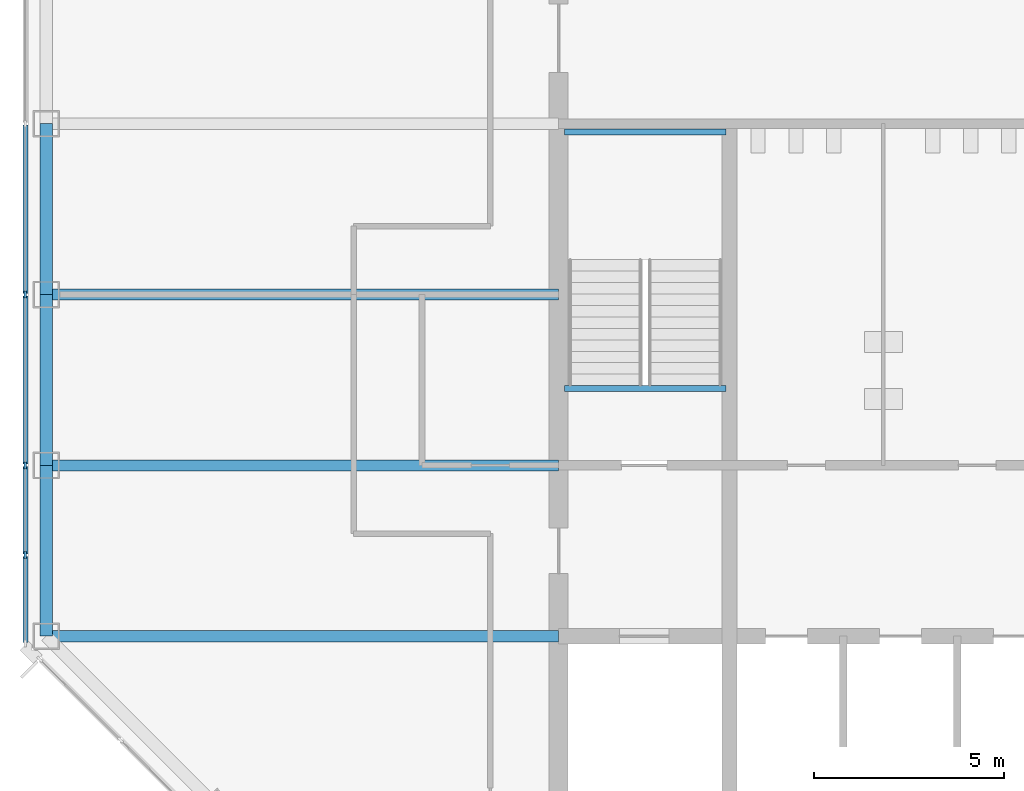
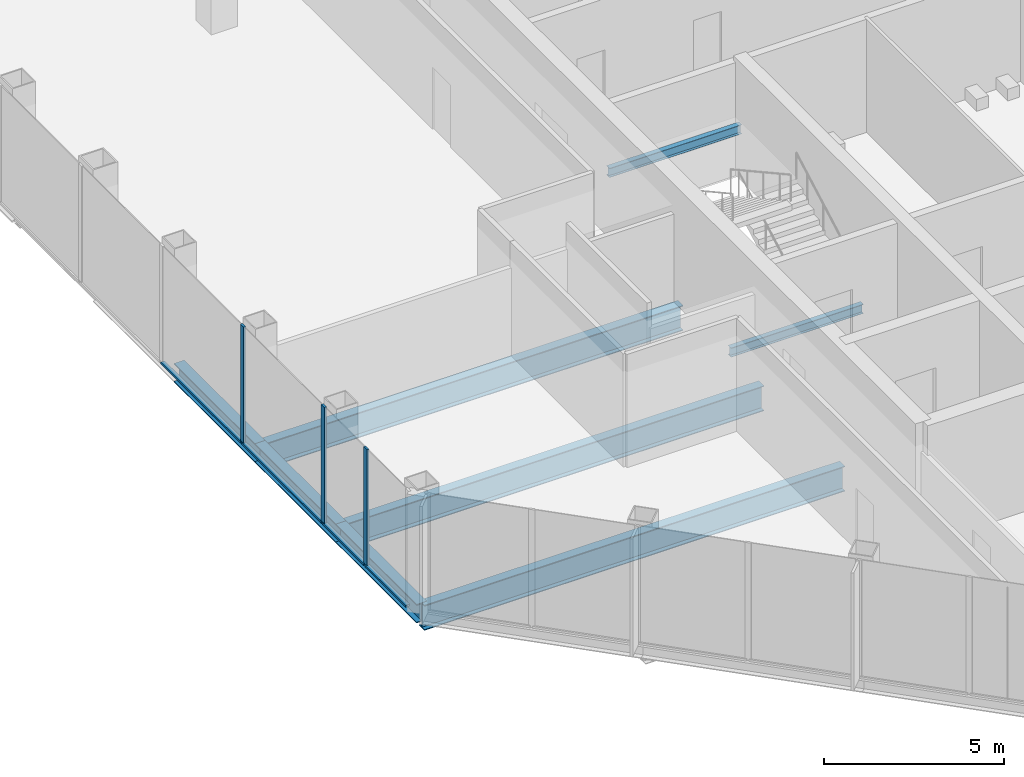
# One storey, part 3 of 13: 8 beams, 7 members, 1 element without a shape of its own.
"""IFC4 building model written with IfcOpenShell, lengths in metres."""

from ifc_helpers import new_model, si_unit, direction, frame, origin, origin_2d, place, context, subcontext, project, spatial, rectangle, i_section, extrude, material, material_profile, profile_set, type_object, element, aggregate, save


model = new_model("IFC4")

# Units and contexts
model_context = context("Model", 3, precision=1e-05, world=origin(), true_north=direction((0.0, 1.0)))
body_context = subcontext(model_context, "Body", "Model", "MODEL_VIEW")
ifc_project = project(units=[si_unit("LENGTHUNIT", "METRE"), si_unit("AREAUNIT", "SQUARE_METRE"), si_unit("VOLUMEUNIT", "CUBIC_METRE"), si_unit("PLANEANGLEUNIT", "RADIAN"), si_unit("MASSUNIT", "GRAM", prefix="KILO")], contexts=[model_context])

# Site, building, storey
site_placement = place(None, origin())
site = spatial("IfcSite", under=ifc_project, at=site_placement, CompositionType="ELEMENT")
building_placement = place(site_placement, origin())
building = spatial("IfcBuilding", under=site, at=building_placement, Name="Corais Broadcast Tower", CompositionType="ELEMENT")
storey_placement = place(building_placement, frame((0.0, 0.0, 171.60009765625)))
storey = spatial("IfcBuildingStorey", under=building, at=storey_placement, Name="L39", CompositionType="ELEMENT", Elevation=171.60009765625)

# Beams
ifc_material_1 = material(Name="Steel ASTM A572 Grade 50", Category="steel")
ifc_material_profile_1 = material_profile(ifc_material_1, i_section(OverallWidth=0.2939453125, OverallDepth=0.85107421875, WebThickness=0.01611328125, FlangeThickness=0.02685546875, at=origin_2d()), Name="W840x226")
ifc_profile_set_1 = profile_set([ifc_material_profile_1], Name="Steel ASTM A572 Grade 50")
beam_type_1 = type_object("IfcBeamType", Name="Floor beam W840x226", PredefinedType="BEAM", material=ifc_profile_set_1)
for number, where, z_axis, x_axis, name in (
    (1, (0.0, 18.0, -0.585693359375), (1.0, 0.0, 0.0), (0.0, 1.0, 0.0), "B1 E/3 to E/6"),
    (2, (0.0, 22.5, -0.585693359375), (1.0, 0.0, 0.0), (0.0, 1.0, 0.0), "B1 F/3 to F/6"),
    (3, (0.0, 27.0, -0.585693359375), (1.0, 0.0, 0.0), (0.0, 1.0, 0.0), "B1 G/3 to G/6"),
):
    element("IfcBeam", number, at=place(storey_placement, frame(where, z_axis=z_axis, x_axis=x_axis)), inside=storey, type_object=beam_type_1, Name=name, PredefinedType="BEAM", context=body_context, shape_type="SweptSolid", body=[
        extrude(i_section(OverallWidth=0.2939453125, OverallDepth=0.85107421875, WebThickness=0.01611328125, FlangeThickness=0.02685546875, at=origin_2d()), origin(), (0.0, 0.0, 1.0), 13.5),
    ])
ifc_material_2 = material(Name="Steel ASTM A572 Grade 50", Category="steel")
ifc_material_profile_2 = material_profile(ifc_material_2, i_section(OverallWidth=0.1650390625, OverallDepth=0.31005859375, WebThickness=0.005859375, FlangeThickness=0.009765625, at=origin_2d()), Name="W310x38.7")
ifc_profile_set_2 = profile_set([ifc_material_profile_2], Name="Steel ASTM A572 Grade 50")
beam_type_2 = type_object("IfcBeamType", Name="Landing trimmer W310x38.7", PredefinedType="BEAM", material=ifc_profile_set_2)
for number, where, z_axis, x_axis, name in (
    (4, (13.64990234375, 24.52490234375, -0.35498046875), (1.0, 0.0, 0.0), (0.0, 1.0, 0.0), "LT1 stair A landing trimmer L39"),
    (5, (13.64990234375, 31.284912109375, 1.64501953125), (1.0, 0.0, 0.0), (0.0, 1.0, 0.0), "LT1 stair A half landing trimmer L39"),
):
    element("IfcBeam", number, at=place(storey_placement, frame(where, z_axis=z_axis, x_axis=x_axis)), inside=storey, type_object=beam_type_2, Name=name, PredefinedType="BEAM", context=body_context, shape_type="SweptSolid", body=[
        extrude(i_section(OverallWidth=0.1650390625, OverallDepth=0.31005859375, WebThickness=0.005859375, FlangeThickness=0.009765625, at=origin_2d()), origin(), (0.0, 0.0, 1.0), 4.25),
    ])

# Curtain wall, members
ifc_material_3 = material(Name="Aluminium and glass", Category="aluminium")
curtain_wall_type = type_object("IfcCurtainWallType", Name="Unitised fritted curtain wall CW2", PredefinedType="NOTDEFINED", material=ifc_material_3)
curtain_wall_placement = place(storey_placement, origin())
curtain_wall = element("IfcCurtainWall", 6, at=curtain_wall_placement, inside=storey, type_object=curtain_wall_type, Name="CW2 curtain wall L39 2", PredefinedType="NOTDEFINED")
ifc_material_4 = material(Name="Aluminium 6063-T6", Category="aluminium")
ifc_material_profile_3 = material_profile(ifc_material_4, rectangle(XDim=0.06494140625, YDim=0.179931640625, at=origin_2d()), Name="Mullion CW2 65x180")
ifc_profile_set_3 = profile_set([ifc_material_profile_3], Name="Aluminium 6063-T6")
member_type_1 = type_object("IfcMemberType", Name="Mullion CW2 65x180", PredefinedType="MULLION", material=ifc_profile_set_3)
member_1_placement = place(storey_placement, frame((-0.550048828125, 20.135986328125, 0.0), z_axis=(0.0, 0.0, 1.0), x_axis=(-1.0, 0.0, 0.0)))
member_1 = element("IfcMember", 7, at=member_1_placement, type_object=member_type_1, Name="CW2 mullion 2", PredefinedType="MULLION", context=body_context, shape_type="SweptSolid", body=[
    extrude(rectangle(XDim=0.06494140625, YDim=0.179931640625, at=origin_2d()), origin(), (0.0, 0.0, 1.0), 4.0),
])
member_2_placement = place(storey_placement, frame((-0.550048828125, 22.5, 0.0), z_axis=(0.0, 0.0, 1.0), x_axis=(-1.0, 0.0, 0.0)))
member_2 = element("IfcMember", 8, at=member_2_placement, type_object=member_type_1, Name="CW2 mullion 3", PredefinedType="MULLION", context=body_context, shape_type="SweptSolid", body=[
    extrude(rectangle(XDim=0.06494140625, YDim=0.179931640625, at=origin_2d()), origin(), (0.0, 0.0, 1.0), 4.0),
])
member_3_placement = place(storey_placement, frame((-0.550048828125, 27.0, 0.0), z_axis=(0.0, 0.0, 1.0), x_axis=(-1.0, 0.0, 0.0)))
member_3 = element("IfcMember", 9, at=member_3_placement, type_object=member_type_1, Name="CW2 mullion 4", PredefinedType="MULLION", context=body_context, shape_type="SweptSolid", body=[
    extrude(rectangle(XDim=0.06494140625, YDim=0.179931640625, at=origin_2d()), origin(), (0.0, 0.0, 1.0), 4.0),
])

# Beams
ifc_material_5 = material(Name="Steel ASTM A572 Grade 50", Category="steel")
ifc_material_profile_4 = material_profile(ifc_material_5, i_section(OverallWidth=0.3291015625, OverallDepth=0.635009765625, WebThickness=0.017822265625, FlangeThickness=0.031005859375, at=origin_2d()), Name="W610x241")
ifc_profile_set_4 = profile_set([ifc_material_profile_4], Name="Steel ASTM A572 Grade 50")
beam_type_3 = type_object("IfcBeamType", Name="Spandrel W610x241", PredefinedType="BEAM", material=ifc_profile_set_4)
for number, where, z_axis, x_axis, name in (
    (10, (0.0, 22.5, -0.4775390625), (0.0, -1.0, 0.0), (1.0, 0.0, 0.0), "SB1 F/3 to E/3"),
    (11, (0.0, 27.0, -0.4775390625), (0.0, -1.0, 0.0), (1.0, 0.0, 0.0), "SB1 G/3 to F/3"),
    (12, (0.0, 31.5, -0.4775390625), (0.0, -1.0, 0.0), (1.0, 0.0, 0.0), "SB1 H/3 to G/3"),
):
    element("IfcBeam", number, at=place(storey_placement, frame(where, z_axis=z_axis, x_axis=x_axis)), inside=storey, type_object=beam_type_3, Name=name, PredefinedType="BEAM", context=body_context, shape_type="SweptSolid", body=[
        extrude(i_section(OverallWidth=0.3291015625, OverallDepth=0.635009765625, WebThickness=0.017822265625, FlangeThickness=0.031005859375, at=origin_2d()), origin(), (0.0, 0.0, 1.0), 4.5),
    ])

# Member
ifc_material_6 = material(Name="Aluminium 6063-T6", Category="aluminium")
ifc_material_profile_5 = material_profile(ifc_material_6, rectangle(XDim=0.1298828125, YDim=0.06494140625, at=origin_2d()), Name="Transom CW2 65x130")
ifc_profile_set_5 = profile_set([ifc_material_profile_5], Name="Aluminium 6063-T6")
member_type_2 = type_object("IfcMemberType", Name="Transom CW2 65x130", PredefinedType="USERDEFINED", material=ifc_profile_set_5)
member_4_placement = place(storey_placement, frame((-0.550048828125, 17.837158203125, 0.032470703125), z_axis=(0.0, 1.0, 0.0), x_axis=(-1.0, 0.0, 0.0)))
member_4 = element("IfcMember", 13, at=member_4_placement, type_object=member_type_2, Name="CW2 transom 1.1", ObjectType="TRANSOM", PredefinedType="USERDEFINED", context=body_context, shape_type="SweptSolid", body=[
    extrude(rectangle(XDim=0.1298828125, YDim=0.06494140625, at=origin_2d()), origin(), (0.0, 0.0, 1.0), 2.266357421875),
])

member_5_placement = place(storey_placement, frame((-0.550048828125, 20.168701171875, 0.032470703125), z_axis=(0.0, 1.0, 0.0), x_axis=(-1.0, 0.0, 0.0)))
member_5 = element("IfcMember", 14, at=member_5_placement, type_object=member_type_2, Name="CW2 transom 2.1", ObjectType="TRANSOM", PredefinedType="USERDEFINED", context=body_context, shape_type="SweptSolid", body=[
    extrude(rectangle(XDim=0.1298828125, YDim=0.06494140625, at=origin_2d()), origin(), (0.0, 0.0, 1.0), 2.298828125),
])

member_6_placement = place(storey_placement, frame((-0.550048828125, 22.532470703125, 0.032470703125), z_axis=(0.0, 1.0, 0.0), x_axis=(-1.0, 0.0, 0.0)))
member_6 = element("IfcMember", 15, at=member_6_placement, type_object=member_type_2, Name="CW2 transom 3.1", ObjectType="TRANSOM", PredefinedType="USERDEFINED", context=body_context, shape_type="SweptSolid", body=[
    extrude(rectangle(XDim=0.1298828125, YDim=0.06494140625, at=origin_2d()), origin(), (0.0, 0.0, 1.0), 4.43505859375),
])

member_7_placement = place(storey_placement, frame((-0.550048828125, 27.032470703125, 0.032470703125), z_axis=(0.0, 1.0, 0.0), x_axis=(-1.0, 0.0, 0.0)))
member_7 = element("IfcMember", 16, at=member_7_placement, type_object=member_type_2, Name="CW2 transom 4.1", ObjectType="TRANSOM", PredefinedType="USERDEFINED", context=body_context, shape_type="SweptSolid", body=[
    extrude(rectangle(XDim=0.1298828125, YDim=0.06494140625, at=origin_2d()), origin(), (0.0, 0.0, 1.0), 4.43505859375),
])

aggregate(curtain_wall, [member_1, member_2, member_3, member_4, member_5, member_6, member_7])

save(model, "model.ifc")
